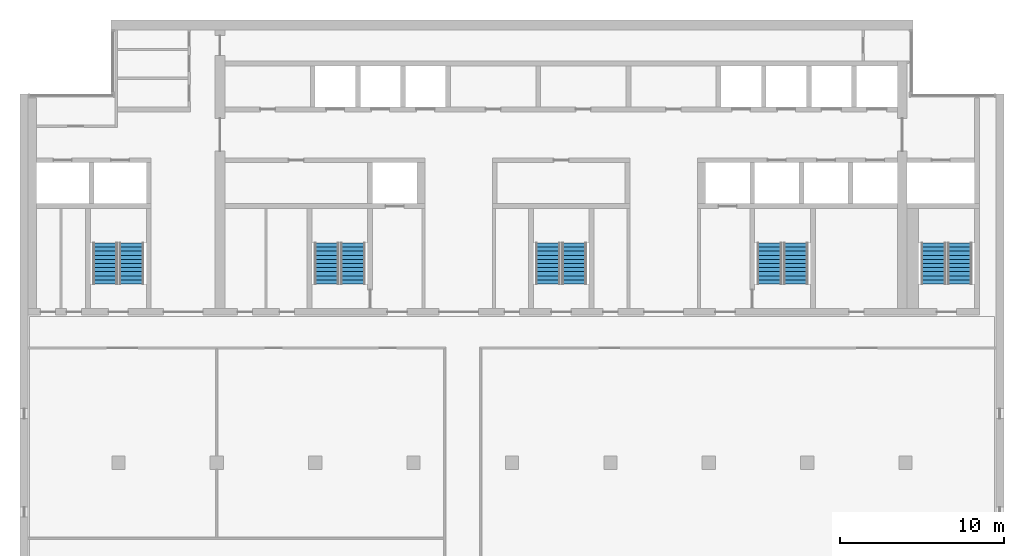
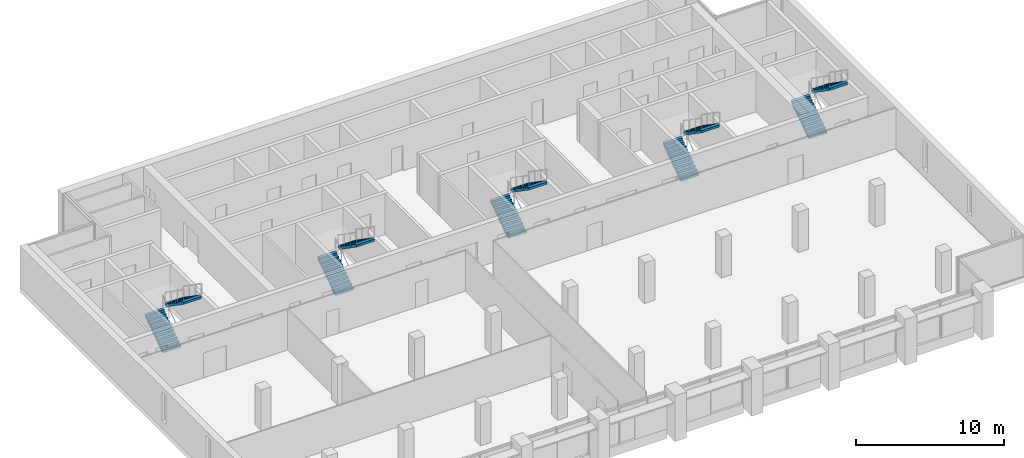
# One storey, part 12 of 14: 10 stair flights, 5 elements without a shape of their own.
"""IFC4 building model written with IfcOpenShell, lengths in metres."""

from ifc_helpers import new_model, si_unit, direction, frame, origin, place, context, subcontext, project, spatial, polyline, outline, extrude, material, type_object, element, aggregate, save


model = new_model("IFC4")

# Units and contexts
model_context = context("Model", 3, precision=1e-05, world=origin(), true_north=direction((0.0, 1.0)))
body_context = subcontext(model_context, "Body", "Model", "MODEL_VIEW")
ifc_project = project(units=[si_unit("LENGTHUNIT", "METRE"), si_unit("AREAUNIT", "SQUARE_METRE"), si_unit("VOLUMEUNIT", "CUBIC_METRE"), si_unit("PLANEANGLEUNIT", "RADIAN"), si_unit("MASSUNIT", "GRAM", prefix="KILO")], contexts=[model_context])

# Site, building, storey
site_placement = place(None, origin())
site = spatial("IfcSite", under=ifc_project, at=site_placement, CompositionType="ELEMENT")
building_placement = place(site_placement, origin())
building = spatial("IfcBuilding", under=site, at=building_placement, Name="Calvaro Tower", CompositionType="ELEMENT")
storey_placement = place(building_placement, frame((0.0, 0.0, 254.550048828125)))
storey = spatial("IfcBuildingStorey", under=building, at=storey_placement, Name="L64", CompositionType="ELEMENT", Elevation=254.550048828125)

# Stair, stair flights
ifc_material_1 = material(Name="Concrete C40/50", Category="concrete")
stair_type = type_object("IfcStairType", Name="Exit stair 1400 2 flights", PredefinedType="HALF_TURN_STAIR", material=ifc_material_1)
stair_1_placement = place(storey_placement, origin())
stair_1 = element("IfcStair", 1, at=stair_1_placement, inside=storey, type_object=stair_type, Name="Exit stair S1", PredefinedType="HALF_TURN_STAIR")
ifc_material_2 = material(Name="Concrete C40/50", Category="concrete")
stair_flight_type = type_object("IfcStairFlightType", Name="Stair flight", PredefinedType="STRAIGHT", material=ifc_material_2)
stair_flight_1_placement = place(storey_placement, frame((11.199951171875, 29.89990234375, 0.0), z_axis=(0.0, 0.0, 1.0), x_axis=(0.0, 1.0, 0.0)))
stair_flight_1 = element("IfcStairFlight", 2, at=stair_flight_1_placement, type_object=stair_flight_type, Name="Exit stair 1, flight 1", NumberOfRisers=11, NumberOfTreads=10, PredefinedType="STRAIGHT", RiserHeight=0.172727273, TreadLength=0.25, context=body_context, shape_type="SweptSolid", body=[
    extrude(outline(polyline([(0.0, 0.0), (0.0, 0.172607421875), (0.25, 0.172607421875), (0.25, 0.345458984375), (0.5, 0.345458984375), (0.5, 0.51806640625), (0.75, 0.51806640625), (0.75, 0.69091796875), (1.0, 0.69091796875), (1.0, 0.863525390625), (1.25, 0.863525390625), (1.25, 1.036376953125), (1.5, 1.036376953125), (1.5, 1.208984375), (1.75, 1.208984375), (1.75, 1.3818359375), (2.0, 1.3818359375), (2.0, 1.554443359375), (2.25, 1.554443359375), (2.25, 1.727294921875), (2.5, 1.727294921875), (2.5, 1.89990234375), (2.5, 1.545166015625), (0.263671875, 0.0), (0.0, 0.0)])), frame((0.0, 0.699951171875, 0.0), z_axis=(0.0, -1.0, 0.0), x_axis=(1.0, 0.0, 0.0)), (0.0, 0.0, 1.0), 1.39990234375),
])
stair_flight_2_placement = place(storey_placement, frame((12.800048828125, 32.39990234375, 1.89990234375), z_axis=(0.0, 0.0, 1.0), x_axis=(0.0, -1.0, 0.0)))
stair_flight_2 = element("IfcStairFlight", 3, at=stair_flight_2_placement, type_object=stair_flight_type, Name="Exit stair 1, flight 2", NumberOfRisers=11, NumberOfTreads=10, PredefinedType="STRAIGHT", RiserHeight=0.172727273, TreadLength=0.25, context=body_context, shape_type="SweptSolid", body=[
    extrude(outline(polyline([(0.0, 0.0), (0.0, 0.172607421875), (0.25, 0.172607421875), (0.25, 0.345458984375), (0.5, 0.345458984375), (0.5, 0.51806640625), (0.75, 0.51806640625), (0.75, 0.69091796875), (1.0, 0.69091796875), (1.0, 0.863525390625), (1.25, 0.863525390625), (1.25, 1.036376953125), (1.5, 1.036376953125), (1.5, 1.208984375), (1.75, 1.208984375), (1.75, 1.3818359375), (2.0, 1.3818359375), (2.0, 1.554443359375), (2.25, 1.554443359375), (2.25, 1.727294921875), (2.5, 1.727294921875), (2.5, 1.89990234375), (2.5, 1.545166015625), (0.263671875, 0.0), (0.0, 0.0)])), frame((0.0, 0.699951171875, 0.0), z_axis=(0.0, -1.0, 0.0), x_axis=(1.0, 0.0, 0.0)), (0.0, 0.0, 1.0), 1.39990234375),
])
aggregate(stair_1, [stair_flight_1, stair_flight_2])

stair_2_placement = place(storey_placement, origin())
stair_2 = element("IfcStair", 4, at=stair_2_placement, inside=storey, type_object=stair_type, Name="Exit stair S2", PredefinedType="HALF_TURN_STAIR")
stair_flight_3_placement = place(storey_placement, frame((24.699951171875, 29.89990234375, 0.0), z_axis=(0.0, 0.0, 1.0), x_axis=(0.0, 1.0, 0.0)))
stair_flight_3 = element("IfcStairFlight", 5, at=stair_flight_3_placement, type_object=stair_flight_type, Name="Exit stair 2, flight 1", NumberOfRisers=11, NumberOfTreads=10, PredefinedType="STRAIGHT", RiserHeight=0.172727273, TreadLength=0.25, context=body_context, shape_type="SweptSolid", body=[
    extrude(outline(polyline([(0.0, 0.0), (0.0, 0.172607421875), (0.25, 0.172607421875), (0.25, 0.345458984375), (0.5, 0.345458984375), (0.5, 0.51806640625), (0.75, 0.51806640625), (0.75, 0.69091796875), (1.0, 0.69091796875), (1.0, 0.863525390625), (1.25, 0.863525390625), (1.25, 1.036376953125), (1.5, 1.036376953125), (1.5, 1.208984375), (1.75, 1.208984375), (1.75, 1.3818359375), (2.0, 1.3818359375), (2.0, 1.554443359375), (2.25, 1.554443359375), (2.25, 1.727294921875), (2.5, 1.727294921875), (2.5, 1.89990234375), (2.5, 1.545166015625), (0.263671875, 0.0), (0.0, 0.0)])), frame((0.0, 0.699951171875, 0.0), z_axis=(0.0, -1.0, 0.0), x_axis=(1.0, 0.0, 0.0)), (0.0, 0.0, 1.0), 1.39990234375),
])
stair_flight_4_placement = place(storey_placement, frame((26.300048828125, 32.39990234375, 1.89990234375), z_axis=(0.0, 0.0, 1.0), x_axis=(0.0, -1.0, 0.0)))
stair_flight_4 = element("IfcStairFlight", 6, at=stair_flight_4_placement, type_object=stair_flight_type, Name="Exit stair 2, flight 2", NumberOfRisers=11, NumberOfTreads=10, PredefinedType="STRAIGHT", RiserHeight=0.172727273, TreadLength=0.25, context=body_context, shape_type="SweptSolid", body=[
    extrude(outline(polyline([(0.0, 0.0), (0.0, 0.172607421875), (0.25, 0.172607421875), (0.25, 0.345458984375), (0.5, 0.345458984375), (0.5, 0.51806640625), (0.75, 0.51806640625), (0.75, 0.69091796875), (1.0, 0.69091796875), (1.0, 0.863525390625), (1.25, 0.863525390625), (1.25, 1.036376953125), (1.5, 1.036376953125), (1.5, 1.208984375), (1.75, 1.208984375), (1.75, 1.3818359375), (2.0, 1.3818359375), (2.0, 1.554443359375), (2.25, 1.554443359375), (2.25, 1.727294921875), (2.5, 1.727294921875), (2.5, 1.89990234375), (2.5, 1.545166015625), (0.263671875, 0.0), (0.0, 0.0)])), frame((0.0, 0.699951171875, 0.0), z_axis=(0.0, -1.0, 0.0), x_axis=(1.0, 0.0, 0.0)), (0.0, 0.0, 1.0), 1.39990234375),
])
aggregate(stair_2, [stair_flight_3, stair_flight_4])

stair_3_placement = place(storey_placement, origin())
stair_3 = element("IfcStair", 7, at=stair_3_placement, inside=storey, type_object=stair_type, Name="Exit stair S3", PredefinedType="HALF_TURN_STAIR")
stair_flight_5_placement = place(storey_placement, frame((38.199951171875, 29.89990234375, 0.0), z_axis=(0.0, 0.0, 1.0), x_axis=(0.0, 1.0, 0.0)))
stair_flight_5 = element("IfcStairFlight", 8, at=stair_flight_5_placement, type_object=stair_flight_type, Name="Exit stair 3, flight 1", NumberOfRisers=11, NumberOfTreads=10, PredefinedType="STRAIGHT", RiserHeight=0.172727273, TreadLength=0.25, context=body_context, shape_type="SweptSolid", body=[
    extrude(outline(polyline([(0.0, 0.0), (0.0, 0.172607421875), (0.25, 0.172607421875), (0.25, 0.345458984375), (0.5, 0.345458984375), (0.5, 0.51806640625), (0.75, 0.51806640625), (0.75, 0.69091796875), (1.0, 0.69091796875), (1.0, 0.863525390625), (1.25, 0.863525390625), (1.25, 1.036376953125), (1.5, 1.036376953125), (1.5, 1.208984375), (1.75, 1.208984375), (1.75, 1.3818359375), (2.0, 1.3818359375), (2.0, 1.554443359375), (2.25, 1.554443359375), (2.25, 1.727294921875), (2.5, 1.727294921875), (2.5, 1.89990234375), (2.5, 1.545166015625), (0.263671875, 0.0), (0.0, 0.0)])), frame((0.0, 0.699951171875, 0.0), z_axis=(0.0, -1.0, 0.0), x_axis=(1.0, 0.0, 0.0)), (0.0, 0.0, 1.0), 1.39990234375),
])
stair_flight_6_placement = place(storey_placement, frame((39.800048828125, 32.39990234375, 1.89990234375), z_axis=(0.0, 0.0, 1.0), x_axis=(0.0, -1.0, 0.0)))
stair_flight_6 = element("IfcStairFlight", 9, at=stair_flight_6_placement, type_object=stair_flight_type, Name="Exit stair 3, flight 2", NumberOfRisers=11, NumberOfTreads=10, PredefinedType="STRAIGHT", RiserHeight=0.172727273, TreadLength=0.25, context=body_context, shape_type="SweptSolid", body=[
    extrude(outline(polyline([(0.0, 0.0), (0.0, 0.172607421875), (0.25, 0.172607421875), (0.25, 0.345458984375), (0.5, 0.345458984375), (0.5, 0.51806640625), (0.75, 0.51806640625), (0.75, 0.69091796875), (1.0, 0.69091796875), (1.0, 0.863525390625), (1.25, 0.863525390625), (1.25, 1.036376953125), (1.5, 1.036376953125), (1.5, 1.208984375), (1.75, 1.208984375), (1.75, 1.3818359375), (2.0, 1.3818359375), (2.0, 1.554443359375), (2.25, 1.554443359375), (2.25, 1.727294921875), (2.5, 1.727294921875), (2.5, 1.89990234375), (2.5, 1.545166015625), (0.263671875, 0.0), (0.0, 0.0)])), frame((0.0, 0.699951171875, 0.0), z_axis=(0.0, -1.0, 0.0), x_axis=(1.0, 0.0, 0.0)), (0.0, 0.0, 1.0), 1.39990234375),
])
aggregate(stair_3, [stair_flight_5, stair_flight_6])

stair_4_placement = place(storey_placement, origin())
stair_4 = element("IfcStair", 10, at=stair_4_placement, inside=storey, type_object=stair_type, Name="Exit stair S4", PredefinedType="HALF_TURN_STAIR")
stair_flight_7_placement = place(storey_placement, frame((51.699951171875, 29.89990234375, 0.0), z_axis=(0.0, 0.0, 1.0), x_axis=(0.0, 1.0, 0.0)))
stair_flight_7 = element("IfcStairFlight", 11, at=stair_flight_7_placement, type_object=stair_flight_type, Name="Exit stair 4, flight 1", NumberOfRisers=11, NumberOfTreads=10, PredefinedType="STRAIGHT", RiserHeight=0.172727273, TreadLength=0.25, context=body_context, shape_type="SweptSolid", body=[
    extrude(outline(polyline([(0.0, 0.0), (0.0, 0.172607421875), (0.25, 0.172607421875), (0.25, 0.345458984375), (0.5, 0.345458984375), (0.5, 0.51806640625), (0.75, 0.51806640625), (0.75, 0.69091796875), (1.0, 0.69091796875), (1.0, 0.863525390625), (1.25, 0.863525390625), (1.25, 1.036376953125), (1.5, 1.036376953125), (1.5, 1.208984375), (1.75, 1.208984375), (1.75, 1.3818359375), (2.0, 1.3818359375), (2.0, 1.554443359375), (2.25, 1.554443359375), (2.25, 1.727294921875), (2.5, 1.727294921875), (2.5, 1.89990234375), (2.5, 1.545166015625), (0.263671875, 0.0), (0.0, 0.0)])), frame((0.0, 0.699951171875, 0.0), z_axis=(0.0, -1.0, 0.0), x_axis=(1.0, 0.0, 0.0)), (0.0, 0.0, 1.0), 1.39990234375),
])
stair_flight_8_placement = place(storey_placement, frame((53.300048828125, 32.39990234375, 1.89990234375), z_axis=(0.0, 0.0, 1.0), x_axis=(0.0, -1.0, 0.0)))
stair_flight_8 = element("IfcStairFlight", 12, at=stair_flight_8_placement, type_object=stair_flight_type, Name="Exit stair 4, flight 2", NumberOfRisers=11, NumberOfTreads=10, PredefinedType="STRAIGHT", RiserHeight=0.172727273, TreadLength=0.25, context=body_context, shape_type="SweptSolid", body=[
    extrude(outline(polyline([(0.0, 0.0), (0.0, 0.172607421875), (0.25, 0.172607421875), (0.25, 0.345458984375), (0.5, 0.345458984375), (0.5, 0.51806640625), (0.75, 0.51806640625), (0.75, 0.69091796875), (1.0, 0.69091796875), (1.0, 0.863525390625), (1.25, 0.863525390625), (1.25, 1.036376953125), (1.5, 1.036376953125), (1.5, 1.208984375), (1.75, 1.208984375), (1.75, 1.3818359375), (2.0, 1.3818359375), (2.0, 1.554443359375), (2.25, 1.554443359375), (2.25, 1.727294921875), (2.5, 1.727294921875), (2.5, 1.89990234375), (2.5, 1.545166015625), (0.263671875, 0.0), (0.0, 0.0)])), frame((0.0, 0.699951171875, 0.0), z_axis=(0.0, -1.0, 0.0), x_axis=(1.0, 0.0, 0.0)), (0.0, 0.0, 1.0), 1.39990234375),
])
aggregate(stair_4, [stair_flight_7, stair_flight_8])

stair_5_placement = place(storey_placement, origin())
stair_5 = element("IfcStair", 13, at=stair_5_placement, inside=storey, type_object=stair_type, Name="Exit stair S5", PredefinedType="HALF_TURN_STAIR")
stair_flight_9_placement = place(storey_placement, frame((61.699951171875, 29.89990234375, 0.0), z_axis=(0.0, 0.0, 1.0), x_axis=(0.0, 1.0, 0.0)))
stair_flight_9 = element("IfcStairFlight", 14, at=stair_flight_9_placement, type_object=stair_flight_type, Name="Exit stair 5, flight 1", NumberOfRisers=11, NumberOfTreads=10, PredefinedType="STRAIGHT", RiserHeight=0.172727273, TreadLength=0.25, context=body_context, shape_type="SweptSolid", body=[
    extrude(outline(polyline([(0.0, 0.0), (0.0, 0.172607421875), (0.25, 0.172607421875), (0.25, 0.345458984375), (0.5, 0.345458984375), (0.5, 0.51806640625), (0.75, 0.51806640625), (0.75, 0.69091796875), (1.0, 0.69091796875), (1.0, 0.863525390625), (1.25, 0.863525390625), (1.25, 1.036376953125), (1.5, 1.036376953125), (1.5, 1.208984375), (1.75, 1.208984375), (1.75, 1.3818359375), (2.0, 1.3818359375), (2.0, 1.554443359375), (2.25, 1.554443359375), (2.25, 1.727294921875), (2.5, 1.727294921875), (2.5, 1.89990234375), (2.5, 1.545166015625), (0.263671875, 0.0), (0.0, 0.0)])), frame((0.0, 0.699951171875, 0.0), z_axis=(0.0, -1.0, 0.0), x_axis=(1.0, 0.0, 0.0)), (0.0, 0.0, 1.0), 1.39990234375),
])
stair_flight_10_placement = place(storey_placement, frame((63.300048828125, 32.39990234375, 1.89990234375), z_axis=(0.0, 0.0, 1.0), x_axis=(0.0, -1.0, 0.0)))
stair_flight_10 = element("IfcStairFlight", 15, at=stair_flight_10_placement, type_object=stair_flight_type, Name="Exit stair 5, flight 2", NumberOfRisers=11, NumberOfTreads=10, PredefinedType="STRAIGHT", RiserHeight=0.172727273, TreadLength=0.25, context=body_context, shape_type="SweptSolid", body=[
    extrude(outline(polyline([(0.0, 0.0), (0.0, 0.172607421875), (0.25, 0.172607421875), (0.25, 0.345458984375), (0.5, 0.345458984375), (0.5, 0.51806640625), (0.75, 0.51806640625), (0.75, 0.69091796875), (1.0, 0.69091796875), (1.0, 0.863525390625), (1.25, 0.863525390625), (1.25, 1.036376953125), (1.5, 1.036376953125), (1.5, 1.208984375), (1.75, 1.208984375), (1.75, 1.3818359375), (2.0, 1.3818359375), (2.0, 1.554443359375), (2.25, 1.554443359375), (2.25, 1.727294921875), (2.5, 1.727294921875), (2.5, 1.89990234375), (2.5, 1.545166015625), (0.263671875, 0.0), (0.0, 0.0)])), frame((0.0, 0.699951171875, 0.0), z_axis=(0.0, -1.0, 0.0), x_axis=(1.0, 0.0, 0.0)), (0.0, 0.0, 1.0), 1.39990234375),
])
aggregate(stair_5, [stair_flight_9, stair_flight_10])

save(model, "model.ifc")
